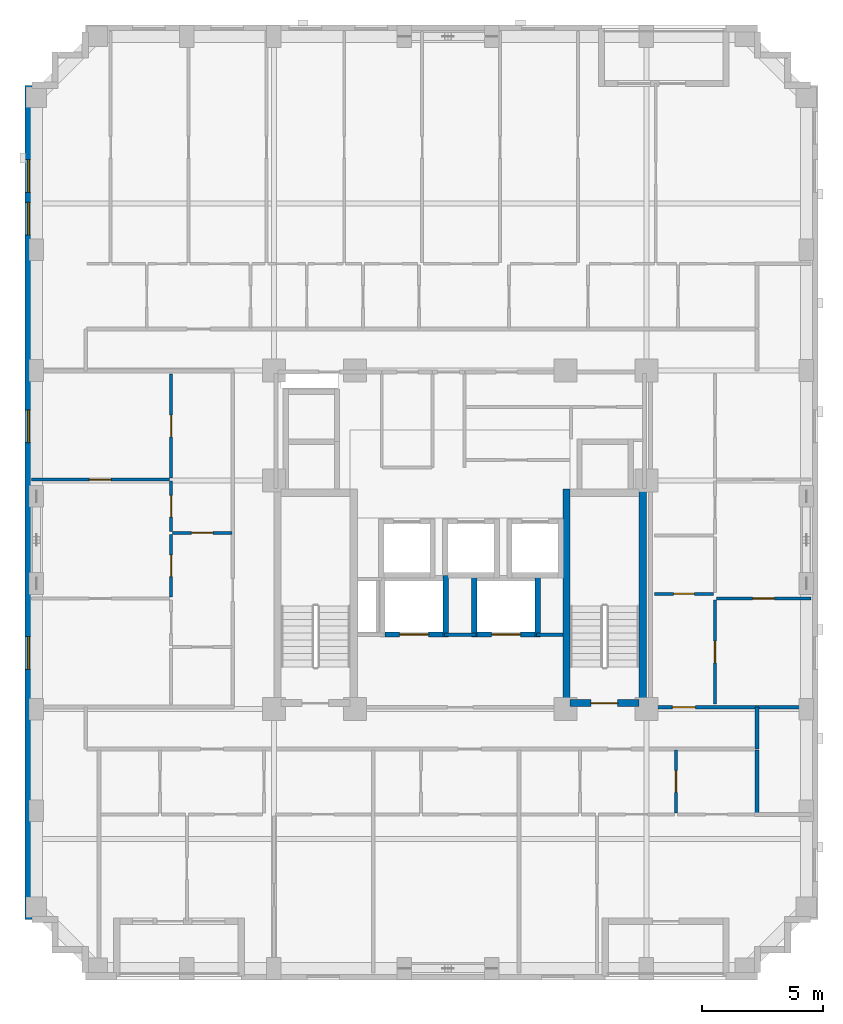
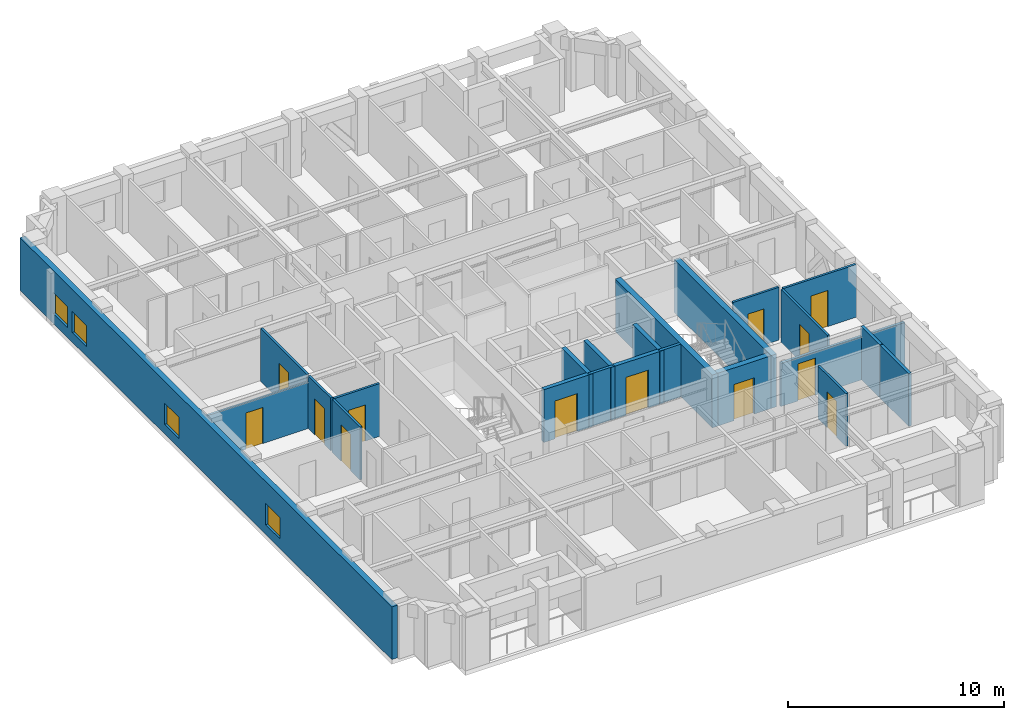
# One storey, part 4 of 11: 23 walls, 13 doors, 4 windows, 17 openings.
"""IFC4 building model written with IfcOpenShell, lengths in metres."""

import ifcopenshell
import ifcopenshell.guid

model = None  # the IFC model being written
_history = None  # IfcOwnerHistory: only IFC2X3 demands one
_inside = {}  # id of a spatial element -> (the spatial element, [elements in it])
_under = {}  # id of a project, library or spatial element -> (it, [spatial elements below it])
_declared = {}  # id of a project -> (the project, [libraries it declares])
_typed = {}  # id of a type object -> (the type object, [elements of that type])
_made_of = {}  # id of a material, layer set ... -> (it, [elements and type objects made of it])


def new_model(schema):
    """Start an empty IFC model of exactly this schema.

    Asked for "IFC4X3", IfcOpenShell would pick the latest addendum, in which some entities
    have other attributes; the version numbers below select the first issue.
    IFC2X3 requires an IfcOwnerHistory on every rooted entity: one is made here for all.
    """
    global model, _history
    if schema == "IFC4X3":
        model = ifcopenshell.file(schema_version=(4, 3, 0, 0))
    else:
        model = ifcopenshell.file(schema=schema)
    _inside.clear()
    _under.clear()
    _declared.clear()
    _typed.clear()
    _made_of.clear()
    _history = None
    if model.schema == "IFC2X3":
        org = make("IfcOrganization", Name="unknown")
        user = make(
            "IfcPersonAndOrganization",
            ThePerson=make("IfcPerson", FamilyName="unknown"),
            TheOrganization=org,
        )
        app = make(
            "IfcApplication",
            ApplicationDeveloper=org,
            Version="unknown",
            ApplicationFullName="unknown",
            ApplicationIdentifier="unknown",
        )
        _history = make(
            "IfcOwnerHistory",
            OwningUser=user,
            OwningApplication=app,
            ChangeAction="ADDED",
            CreationDate=0,
        )
    return model


def make(cls, **values):
    """One entity of the class cls with the attributes given. An attribute that is None is left unset."""
    return model.create_entity(
        cls, **{name: value for name, value in values.items() if value is not None}
    )


def rooted(cls, **values):
    """An entity with a GlobalId (a new one), such as an element, a storey or a relation."""
    return make(cls, GlobalId=ifcopenshell.guid.new(), OwnerHistory=_history, **values)


def si_unit(unit_type, name, prefix=None):
    """IfcSIUnit, for example si_unit("LENGTHUNIT", "METRE", prefix="MILLI")."""
    return make("IfcSIUnit", UnitType=unit_type, Prefix=prefix, Name=name)


def derived_unit(unit_type, elements):
    """IfcDerivedUnit: a product of units, each with its exponent."""
    return make(
        "IfcDerivedUnit",
        Elements=[
            make("IfcDerivedUnitElement", Unit=unit, Exponent=power)
            for unit, power in elements
        ],
        UnitType=unit_type,
    )


def assignment(units):
    """IfcUnitAssignment: the units of a project."""
    return None if units is None else make("IfcUnitAssignment", Units=units)


def point(xyz):
    """IfcCartesianPoint."""
    return None if xyz is None else make("IfcCartesianPoint", Coordinates=xyz)


def direction(xyz):
    """IfcDirection."""
    return None if xyz is None else make("IfcDirection", DirectionRatios=xyz)


def frame(location, z_axis=None, x_axis=None):
    """IfcAxis2Placement3D, a coordinate frame: its origin and axes. An axis left out is left unset."""
    return make(
        "IfcAxis2Placement3D",
        Location=point(location),
        Axis=direction(z_axis),
        RefDirection=direction(x_axis),
    )


def frame_2d(location, x_axis=None):
    """IfcAxis2Placement2D, a coordinate frame in the plane: its origin and x axis."""
    return make(
        "IfcAxis2Placement2D", Location=point(location), RefDirection=direction(x_axis)
    )


def origin():
    """The frame at (0, 0, 0) with its axes left unset."""
    return frame((0.0, 0.0, 0.0))


def place(relative_to, where):
    """IfcLocalPlacement: puts the frame where relative to a parent placement (None: the world)."""
    return make(
        "IfcLocalPlacement", PlacementRelTo=relative_to, RelativePlacement=where
    )


def context(
    kind, dimensions, precision=None, world=None, true_north=None, identifier=None
):
    """IfcGeometricRepresentationContext, for example the 3D "Model" context."""
    return make(
        "IfcGeometricRepresentationContext",
        ContextIdentifier=identifier,
        ContextType=kind,
        CoordinateSpaceDimension=dimensions,
        Precision=precision,
        WorldCoordinateSystem=world,
        TrueNorth=true_north,
    )


def subcontext(parent, identifier, kind, view, scale=None):
    """IfcGeometricRepresentationSubContext, for example "Body" below "Model"."""
    return make(
        "IfcGeometricRepresentationSubContext",
        ContextIdentifier=identifier,
        ContextType=kind,
        ParentContext=parent,
        TargetScale=scale,
        TargetView=view,
    )


def project(units=None, contexts=None):
    """IfcProject with its units and contexts."""
    return rooted(
        "IfcProject",
        Name="project",
        RepresentationContexts=contexts,
        UnitsInContext=assignment(units),
    )


def spatial(cls, under=None, at=None, **own):
    """A site, building, storey or space (cls), placed at a placement, below another one or the project."""
    s = rooted(cls, ObjectPlacement=at, **own)
    if under is not None:
        _under.setdefault(under.id(), (under, []))[1].append(s)
    return s


def profile(cls, at=None, kind="AREA", **sizes):
    """A parametric profile (cls). Its sizes go by their IFC names, for example OverallWidth=200.0."""
    return make(cls, ProfileType=kind, Position=at, **sizes)


def rectangle(**sizes):
    """IfcRectangleProfileDef."""
    return profile("IfcRectangleProfileDef", **sizes)


def extrude(swept, where, along, depth):
    """IfcExtrudedAreaSolid: the profile swept, set in the frame where, extruded along a direction by depth."""
    return make(
        "IfcExtrudedAreaSolid",
        SweptArea=swept,
        Position=where,
        ExtrudedDirection=direction(along),
        Depth=depth,
    )


def shape(context_of_items, identifier, shape_type, items):
    """IfcShapeRepresentation: the items that make up one representation, for example the "Body"."""
    return make(
        "IfcShapeRepresentation",
        ContextOfItems=context_of_items,
        RepresentationIdentifier=identifier,
        RepresentationType=shape_type,
        Items=items,
    )


def material(Name=None, Category=None):
    """IfcMaterial."""
    return make("IfcMaterial", Name=Name, Category=Category)


def layer(
    of_material, thickness, ventilated=None, Name=None, Category=None, Priority=None
):
    """IfcMaterialLayer: one layer of a wall or slab, of a material (None: an air gap)."""
    return make(
        "IfcMaterialLayer",
        Material=of_material,
        LayerThickness=thickness,
        IsVentilated=ventilated,
        Name=Name,
        Category=Category,
        Priority=Priority,
    )


def layer_set(layers, Name=None):
    """IfcMaterialLayerSet."""
    return make("IfcMaterialLayerSet", MaterialLayers=layers, LayerSetName=Name)


def made_of(thing, what):
    """Note that an element or type object is made of a material, layer set ...; save() writes the relation."""
    if what is not None:
        _made_of.setdefault(what.id(), (what, []))[1].append(thing)
    return thing


def type_object(cls, material=None, **own):
    """A type object (cls), such as IfcWallType, which elements share."""
    return made_of(rooted(cls, **own), material)


def element(
    cls,
    number,
    at=None,
    inside=None,
    cuts=None,
    type_object=None,
    material=None,
    context=None,
    identifier="Body",
    shape_type=None,
    held_by="IfcProductDefinitionShape",
    body=None,
    shapes=None,
    **own,
):
    """One element of the class cls, such as IfcWall. Its Tag is "e" and its number.

    at: its placement. inside: the storey or other place that contains it. cuts: it is an
    opening in that element (IfcRelVoidsElement). A single representation is given by context,
    identifier, shape_type and body (its items); several are given by shapes. held_by: the class
    of the entity that holds the representations. save() writes the other relations.
    """
    e = rooted(cls, Tag="e%d" % number, ObjectPlacement=at, **own)
    if body is not None:
        shapes = [shape(context, identifier, shape_type, body)]
    if shapes is not None:
        e.Representation = make(held_by, Representations=shapes)
    if inside is not None:
        _inside.setdefault(inside.id(), (inside, []))[1].append(e)
    if cuts is not None:
        rooted(
            "IfcRelVoidsElement", RelatingBuildingElement=cuts, RelatedOpeningElement=e
        )
    if type_object is not None:
        _typed.setdefault(type_object.id(), (type_object, []))[1].append(e)
    return made_of(e, material)


def fill(opening, filler):
    """IfcRelFillsElement: the door or window that sits in an opening."""
    return rooted(
        "IfcRelFillsElement",
        RelatingOpeningElement=opening,
        RelatedBuildingElement=filler,
    )


def aggregate(whole, parts):
    """IfcRelAggregates: a whole, such as a stair, and the parts it consists of."""
    return rooted("IfcRelAggregates", RelatingObject=whole, RelatedObjects=parts)


def save(model, path):
    """Write the relations noted so far, then the file.

    IfcRelAggregates (storeys below a building ...), IfcRelContainedInSpatialStructure (elements
    in a storey), IfcRelDefinesByType, IfcRelAssociatesMaterial and IfcRelDeclares: one each for
    every whole, place, type object, material and project.
    """
    for whole, parts in _under.values():
        aggregate(whole, parts)
    for where, things in _inside.values():
        rooted(
            "IfcRelContainedInSpatialStructure",
            RelatedElements=things,
            RelatingStructure=where,
        )
    for kind, things in _typed.values():
        rooted("IfcRelDefinesByType", RelatedObjects=things, RelatingType=kind)
    for what, things in _made_of.values():
        rooted("IfcRelAssociatesMaterial", RelatedObjects=things, RelatingMaterial=what)
    for by, libraries in _declared.values():
        rooted("IfcRelDeclares", RelatingContext=by, RelatedDefinitions=libraries)
    model.write(path)


model = new_model("IFC4")

# Units and contexts
model_context = context("Model", 3, precision=1e-05, world=origin(), true_north=direction((0.0, 1.0)))
body_context = subcontext(model_context, "Body", "Model", "MODEL_VIEW")
ifc_project = project(units=[si_unit("LENGTHUNIT", "METRE"), si_unit("AREAUNIT", "SQUARE_METRE"), si_unit("VOLUMEUNIT", "CUBIC_METRE"), si_unit("PLANEANGLEUNIT", "RADIAN"), si_unit("MASSUNIT", "GRAM", prefix="KILO"), derived_unit("THERMALTRANSMITTANCEUNIT", [(si_unit("MASSUNIT", "GRAM", prefix="KILO"), 1), (si_unit("TIMEUNIT", "SECOND"), -3), (si_unit("THERMODYNAMICTEMPERATUREUNIT", "KELVIN"), -1)])], contexts=[model_context])

# Site, building, storey
site_placement = place(None, origin())
site = spatial("IfcSite", under=ifc_project, at=site_placement, CompositionType="ELEMENT")
building_placement = place(site_placement, origin())
building = spatial("IfcBuilding", under=site, at=building_placement, Name="Korrvale Station Residences", CompositionType="ELEMENT")
storey_placement = place(building_placement, frame((0.0, 0.0, 160.14990234375)))
storey = spatial("IfcBuildingStorey", under=building, at=storey_placement, Name="L46", CompositionType="ELEMENT", Elevation=160.14990234375)

# Walls
ifc_material_1 = material(Name="Concrete C60/75", Category="concrete")
ifc_layer_1 = layer(ifc_material_1, 0.300048828125, Name="Concrete C60/75")
ifc_layer_set_1 = layer_set([ifc_layer_1], Name="Concrete C60/75")
wall_type_1 = type_object("IfcWallType", Name="WAL-CORE-300-C60", PredefinedType="SHEAR", material=ifc_layer_set_1)
for number, where, z_axis, x_axis, name in (
    (1, (29.89990234375, 15.10009765625, 0.0), (0.0, 0.0, 1.0), (0.0, 1.0, 0.0), "L46 ST-2 Core Shear Wall West"),
    (2, (33.050048828125, 15.10009765625, 0.0), (0.0, 0.0, 1.0), (0.0, 1.0, 0.0), "L46 ST-2 Core Shear Wall East"),
):
    element("IfcWall", number, at=place(storey_placement, frame(where, z_axis=z_axis, x_axis=x_axis)), inside=storey, type_object=wall_type_1, Name=name, PredefinedType="SHEAR", context=body_context, shape_type="SweptSolid", body=[
        extrude(rectangle(XDim=9.0, YDim=0.300048828125, at=frame_2d((4.5, 0.0))), origin(), (0.0, 0.0, 1.0), 2.989990234375),
    ])

# Wall, opening, door
wall_1_placement = place(storey_placement, frame((30.050048828125, 15.25, 0.0), z_axis=(0.0, 0.0, 1.0), x_axis=(1.0, 0.0, 0.0)))
wall_1 = element("IfcWall", 3, at=wall_1_placement, inside=storey, type_object=wall_type_1, Name="L46 ST-2 Core Shear Wall South", PredefinedType="SHEAR", context=body_context, shape_type="SweptSolid", body=[
    extrude(rectangle(XDim=2.849853515625, YDim=0.300048828125, at=frame_2d((1.4248046875, 0.0))), origin(), (0.0, 0.0, 1.0), 2.989990234375),
])
opening_1_placement = place(wall_1_placement, frame((0.860107421875, 0.0, 0.0)))
opening_1 = element("IfcOpeningElement", 4, at=opening_1_placement, cuts=wall_1, Name="Opening SD-1100", PredefinedType="OPENING", context=body_context, shape_type="SweptSolid", body=[
    extrude(rectangle(XDim=1.10009765625, YDim=2.050048828125, at=frame_2d((0.550048828125, 1.02490234375))), frame((0.0, 0.16015625, 0.0), z_axis=(0.0, -1.0, 0.0), x_axis=(1.0, 0.0, 0.0)), (0.0, 0.0, 1.0), 0.320068359375),
])
ifc_material_2 = material(Name="Hollow-metal fire-rated stair door with closer", Category="steel")
door_type_1 = type_object("IfcDoorType", Name="DR-STAIR-1100", OperationType="NOTDEFINED", PredefinedType="DOOR", material=ifc_material_2)
door_1_placement = place(opening_1_placement, origin())
door_1 = element("IfcDoor", 5, at=door_1_placement, inside=storey, type_object=door_type_1, Name="L46 ST-2 Exit Stair Door", OperationType="SINGLE_SWING_RIGHT", OverallHeight=2.050048828125, OverallWidth=1.10009765625, PredefinedType="DOOR", context=body_context, shape_type="SweptSolid", body=[
    extrude(rectangle(XDim=1.10009765625, YDim=2.050048828125, at=frame_2d((0.550048828125, 1.02490234375))), frame((0.0, 0.02490234375, 0.0), z_axis=(0.0, -1.0, 0.0), x_axis=(1.0, 0.0, 0.0)), (0.0, 0.0, 1.0), 0.050048828125),
])
fill(opening_1, door_1)

# Wall, openings, windows
ifc_material_3 = material(Name="Precast concrete C45/55", Category="concrete")
ifc_layer_2 = layer(ifc_material_3, 0.300048828125, Name="Precast concrete C45/55")
ifc_layer_set_2 = layer_set([ifc_layer_2], Name="Precast concrete C45/55")
wall_type_2 = type_object("IfcWallType", Name="WAL-EXT-PC300", PredefinedType="SOLIDWALL", material=ifc_layer_set_2)
wall_2_placement = place(storey_placement, frame((7.64990234375, 6.300048828125, 0.0), z_axis=(0.0, 0.0, 1.0), x_axis=(0.0, 1.0, 0.0)))
wall_2 = element("IfcWall", 6, at=wall_2_placement, inside=storey, type_object=wall_type_2, Name="L46 West Exterior Precast Wall 1", PredefinedType="SOLIDWALL", context=body_context, shape_type="SweptSolid", body=[
    extrude(rectangle(XDim=34.5, YDim=0.300048828125, at=frame_2d((17.25, 0.0))), origin(), (0.0, 0.0, 1.0), 2.989990234375),
])
opening_2_placement = place(wall_2_placement, frame((30.074951171875, 0.0, 0.550048828125)))
opening_2 = element("IfcOpeningElement", 7, at=opening_2_placement, cuts=wall_2, Name="Opening W-10", PredefinedType="OPENING", context=body_context, shape_type="SweptSolid", body=[
    extrude(rectangle(XDim=1.35009765625, YDim=1.199951171875, at=frame_2d((0.675048828125, 0.60009765625))), frame((0.0, 0.16015625, 0.0), z_axis=(0.0, -1.0, 0.0), x_axis=(1.0, 0.0, 0.0)), (0.0, 0.0, 1.0), 0.320068359375),
])
opening_3_placement = place(wall_2_placement, frame((28.31005859375, 0.0, 0.550048828125)))
opening_3 = element("IfcOpeningElement", 8, at=opening_3_placement, cuts=wall_2, Name="Opening W-10", PredefinedType="OPENING", context=body_context, shape_type="SweptSolid", body=[
    extrude(rectangle(XDim=1.35009765625, YDim=1.199951171875, at=frame_2d((0.675048828125, 0.60009765625))), frame((0.0, 0.16015625, 0.0), z_axis=(0.0, -1.0, 0.0), x_axis=(1.0, 0.0, 0.0)), (0.0, 0.0, 1.0), 0.320068359375),
])
opening_4_placement = place(wall_2_placement, frame((10.35009765625, 0.0, 0.550048828125)))
opening_4 = element("IfcOpeningElement", 9, at=opening_4_placement, cuts=wall_2, Name="Opening W-10", PredefinedType="OPENING", context=body_context, shape_type="SweptSolid", body=[
    extrude(rectangle(XDim=1.35009765625, YDim=1.199951171875, at=frame_2d((0.675048828125, 0.60009765625))), frame((0.0, 0.16015625, 0.0), z_axis=(0.0, -1.0, 0.0), x_axis=(1.0, 0.0, 0.0)), (0.0, 0.0, 1.0), 0.320068359375),
])
opening_5_placement = place(wall_2_placement, frame((19.72509765625, 0.0, 0.550048828125)))
opening_5 = element("IfcOpeningElement", 10, at=opening_5_placement, cuts=wall_2, Name="Opening W-10", PredefinedType="OPENING", context=body_context, shape_type="SweptSolid", body=[
    extrude(rectangle(XDim=1.35009765625, YDim=1.199951171875, at=frame_2d((0.675048828125, 0.60009765625))), frame((0.0, 0.16015625, 0.0), z_axis=(0.0, -1.0, 0.0), x_axis=(1.0, 0.0, 0.0)), (0.0, 0.0, 1.0), 0.320068359375),
])
ifc_material_4 = material(Name="Thermally broken aluminium frame with triple low-e glazing", Category="aluminium")
window_type = type_object("IfcWindowType", Name="WIN-W10", PartitioningType="SINGLE_PANEL", PredefinedType="WINDOW", material=ifc_material_4)
window_1_placement = place(opening_2_placement, origin())
window_1 = element("IfcWindow", 11, at=window_1_placement, inside=storey, type_object=window_type, Name="L46 Punched Window 06", OverallHeight=1.199951171875, OverallWidth=1.35009765625, PartitioningType="SINGLE_PANEL", PredefinedType="WINDOW", context=body_context, shape_type="SweptSolid", body=[
    extrude(rectangle(XDim=1.35009765625, YDim=1.199951171875, at=frame_2d((0.675048828125, 0.60009765625))), frame((0.0, 0.030029296875, 0.0), z_axis=(0.0, -1.0, 0.0), x_axis=(1.0, 0.0, 0.0)), (0.0, 0.0, 1.0), 0.06005859375),
])
fill(opening_2, window_1)
window_2_placement = place(opening_3_placement, origin())
window_2 = element("IfcWindow", 12, at=window_2_placement, inside=storey, type_object=window_type, Name="L46 Punched Window 07", OverallHeight=1.199951171875, OverallWidth=1.35009765625, PartitioningType="SINGLE_PANEL", PredefinedType="WINDOW", context=body_context, shape_type="SweptSolid", body=[
    extrude(rectangle(XDim=1.35009765625, YDim=1.199951171875, at=frame_2d((0.675048828125, 0.60009765625))), frame((0.0, 0.030029296875, 0.0), z_axis=(0.0, -1.0, 0.0), x_axis=(1.0, 0.0, 0.0)), (0.0, 0.0, 1.0), 0.06005859375),
])
fill(opening_3, window_2)
window_3_placement = place(opening_4_placement, origin())
window_3 = element("IfcWindow", 13, at=window_3_placement, inside=storey, type_object=window_type, Name="L46 Punched Window 16", OverallHeight=1.199951171875, OverallWidth=1.35009765625, PartitioningType="SINGLE_PANEL", PredefinedType="WINDOW", context=body_context, shape_type="SweptSolid", body=[
    extrude(rectangle(XDim=1.35009765625, YDim=1.199951171875, at=frame_2d((0.675048828125, 0.60009765625))), frame((0.0, 0.030029296875, 0.0), z_axis=(0.0, -1.0, 0.0), x_axis=(1.0, 0.0, 0.0)), (0.0, 0.0, 1.0), 0.06005859375),
])
fill(opening_4, window_3)
window_4_placement = place(opening_5_placement, origin())
window_4 = element("IfcWindow", 14, at=window_4_placement, inside=storey, type_object=window_type, Name="L46 Punched Window 17", OverallHeight=1.199951171875, OverallWidth=1.35009765625, PartitioningType="SINGLE_PANEL", PredefinedType="WINDOW", context=body_context, shape_type="SweptSolid", body=[
    extrude(rectangle(XDim=1.35009765625, YDim=1.199951171875, at=frame_2d((0.675048828125, 0.60009765625))), frame((0.0, 0.030029296875, 0.0), z_axis=(0.0, -1.0, 0.0), x_axis=(1.0, 0.0, 0.0)), (0.0, 0.0, 1.0), 0.06005859375),
])
fill(opening_5, window_4)

# Wall, opening, door
ifc_material_5 = material(Name="Acoustic steel-stud gypsum board partition", Category="steel")
ifc_layer_3 = layer(ifc_material_5, 0.1201171875, Name="Acoustic steel-stud gypsum board partition")
ifc_layer_set_3 = layer_set([ifc_layer_3], Name="Acoustic steel-stud gypsum board partition")
wall_type_3 = type_object("IfcWallType", Name="WAL-PART-125", PredefinedType="PARTITIONING", material=ifc_layer_set_3)
wall_3_placement = place(storey_placement, frame((34.429931640625, 10.7099609375, 0.0), z_axis=(0.0, 0.0, 1.0), x_axis=(0.0, 1.0, 0.0)))
wall_3 = element("IfcWall", 15, at=wall_3_placement, inside=storey, type_object=wall_type_3, Name="L46 Suite Partition U03-V12", PredefinedType="PARTITIONING", context=body_context, shape_type="SweptSolid", body=[
    extrude(rectangle(XDim=2.60009765625, YDim=0.1201171875, at=frame_2d((1.300048828125, 0.0))), origin(), (0.0, 0.0, 1.0), 2.989990234375),
])
opening_6_placement = place(wall_3_placement, frame((0.85009765625, 0.0, 0.0)))
opening_6 = element("IfcOpeningElement", 16, at=opening_6_placement, cuts=wall_3, Name="Opening DI-900", PredefinedType="OPENING", context=body_context, shape_type="SweptSolid", body=[
    extrude(rectangle(XDim=0.89990234375, YDim=2.050048828125, at=frame_2d((0.449951171875, 1.02490234375))), frame((0.0, 0.070068359375, 0.0), z_axis=(0.0, -1.0, 0.0), x_axis=(1.0, 0.0, 0.0)), (0.0, 0.0, 1.0), 0.14013671875),
])
ifc_material_6 = material(Name="Painted solid-core timber interior room door", Category="wood")
door_type_2 = type_object("IfcDoorType", Name="DR-INT-900", OperationType="NOTDEFINED", PredefinedType="DOOR", material=ifc_material_6)
door_2_placement = place(opening_6_placement, origin())
door_2 = element("IfcDoor", 17, at=door_2_placement, inside=storey, type_object=door_type_2, Name="L46 Studio Apartment L46-U03 Kitchen Door", OperationType="SINGLE_SWING_RIGHT", OverallHeight=2.050048828125, OverallWidth=0.89990234375, PredefinedType="DOOR", context=body_context, shape_type="SweptSolid", body=[
    extrude(rectangle(XDim=0.89990234375, YDim=2.050048828125, at=frame_2d((0.449951171875, 1.02490234375))), frame((0.0, 0.02490234375, 0.0), z_axis=(0.0, -1.0, 0.0), x_axis=(1.0, 0.0, 0.0)), (0.0, 0.0, 1.0), 0.050048828125),
])
fill(opening_6, door_2)

wall_4_placement = place(storey_placement, frame((13.610107421875, 22.2900390625, 0.0), z_axis=(0.0, 0.0, 1.0), x_axis=(1.0, 0.0, 0.0)))
wall_4 = element("IfcWall", 18, at=wall_4_placement, inside=storey, type_object=wall_type_3, Name="L46 Suite Partition U05-H02", PredefinedType="PARTITIONING", context=body_context, shape_type="SweptSolid", body=[
    extrude(rectangle(XDim=2.449951171875, YDim=0.1201171875, at=frame_2d((1.22509765625, 0.0))), origin(), (0.0, 0.0, 1.0), 2.989990234375),
])
opening_7_placement = place(wall_4_placement, frame((0.77490234375, 0.0, 0.0)))
opening_7 = element("IfcOpeningElement", 19, at=opening_7_placement, cuts=wall_4, Name="Opening DI-900", PredefinedType="OPENING", context=body_context, shape_type="SweptSolid", body=[
    extrude(rectangle(XDim=0.89990234375, YDim=2.050048828125, at=frame_2d((0.449951171875, 1.02490234375))), frame((0.0, 0.070068359375, 0.0), z_axis=(0.0, -1.0, 0.0), x_axis=(1.0, 0.0, 0.0)), (0.0, 0.0, 1.0), 0.14013671875),
])
door_3_placement = place(opening_7_placement, origin())
door_3 = element("IfcDoor", 20, at=door_3_placement, inside=storey, type_object=door_type_2, Name="L46 Apartment 2BR L46-U05 Wardrobe Storage Room Door", OperationType="SINGLE_SWING_LEFT", OverallHeight=2.050048828125, OverallWidth=0.89990234375, PredefinedType="DOOR", context=body_context, shape_type="SweptSolid", body=[
    extrude(rectangle(XDim=0.89990234375, YDim=2.050048828125, at=frame_2d((0.449951171875, 1.02490234375))), frame((0.0, 0.02490234375, 0.0), z_axis=(0.0, -1.0, 0.0), x_axis=(1.0, 0.0, 0.0)), (0.0, 0.0, 1.0), 0.050048828125),
])
fill(opening_7, door_3)

wall_5_placement = place(storey_placement, frame((13.550048828125, 22.35009765625, 0.0), z_axis=(0.0, 0.0, 1.0), x_axis=(0.0, 1.0, 0.0)))
wall_5 = element("IfcWall", 21, at=wall_5_placement, inside=storey, type_object=wall_type_3, Name="L46 Suite Partition U05-V04", PredefinedType="PARTITIONING", context=body_context, shape_type="SweptSolid", body=[
    extrude(rectangle(XDim=2.081787109375, YDim=0.1201171875, at=frame_2d((1.041015625, 0.0))), origin(), (0.0, 0.0, 1.0), 2.989990234375),
])
opening_8_placement = place(wall_5_placement, frame((0.591064453125, 0.0, 0.0)))
opening_8 = element("IfcOpeningElement", 22, at=opening_8_placement, cuts=wall_5, Name="Opening DI-900", PredefinedType="OPENING", context=body_context, shape_type="SweptSolid", body=[
    extrude(rectangle(XDim=0.89990234375, YDim=2.050048828125, at=frame_2d((0.449951171875, 1.02490234375))), frame((0.0, 0.070068359375, 0.0), z_axis=(0.0, -1.0, 0.0), x_axis=(1.0, 0.0, 0.0)), (0.0, 0.0, 1.0), 0.14013671875),
])
door_4_placement = place(opening_8_placement, origin())
door_4 = element("IfcDoor", 23, at=door_4_placement, inside=storey, type_object=door_type_2, Name="L46 Apartment 2BR L46-U05 Wardrobe Storage Room Door", OperationType="SINGLE_SWING_RIGHT", OverallHeight=2.050048828125, OverallWidth=0.89990234375, PredefinedType="DOOR", context=body_context, shape_type="SweptSolid", body=[
    extrude(rectangle(XDim=0.89990234375, YDim=2.050048828125, at=frame_2d((0.449951171875, 1.02490234375))), frame((0.0, 0.02490234375, 0.0), z_axis=(0.0, -1.0, 0.0), x_axis=(1.0, 0.0, 0.0)), (0.0, 0.0, 1.0), 0.050048828125),
])
fill(opening_8, door_4)

wall_6_placement = place(storey_placement, frame((13.550048828125, 24.552001953125, 0.0), z_axis=(0.0, 0.0, 1.0), x_axis=(0.0, 1.0, 0.0)))
wall_6 = element("IfcWall", 24, at=wall_6_placement, inside=storey, type_object=wall_type_3, Name="L46 Suite Partition U05-V05", PredefinedType="PARTITIONING", context=body_context, shape_type="SweptSolid", body=[
    extrude(rectangle(XDim=4.30810546875, YDim=0.1201171875, at=frame_2d((2.154052734375, 0.0))), origin(), (0.0, 0.0, 1.0), 2.989990234375),
])
opening_9_placement = place(wall_6_placement, frame((1.7041015625, 0.0, 0.0)))
opening_9 = element("IfcOpeningElement", 25, at=opening_9_placement, cuts=wall_6, Name="Opening DI-900", PredefinedType="OPENING", context=body_context, shape_type="SweptSolid", body=[
    extrude(rectangle(XDim=0.89990234375, YDim=2.050048828125, at=frame_2d((0.449951171875, 1.02490234375))), frame((0.0, 0.070068359375, 0.0), z_axis=(0.0, -1.0, 0.0), x_axis=(1.0, 0.0, 0.0)), (0.0, 0.0, 1.0), 0.14013671875),
])
door_5_placement = place(opening_9_placement, origin())
door_5 = element("IfcDoor", 26, at=door_5_placement, inside=storey, type_object=door_type_2, Name="L46 Apartment 2BR L46-U05 Wardrobe Storage Room Door", OperationType="SINGLE_SWING_LEFT", OverallHeight=2.050048828125, OverallWidth=0.89990234375, PredefinedType="DOOR", context=body_context, shape_type="SweptSolid", body=[
    extrude(rectangle(XDim=0.89990234375, YDim=2.050048828125, at=frame_2d((0.449951171875, 1.02490234375))), frame((0.0, 0.02490234375, 0.0), z_axis=(0.0, -1.0, 0.0), x_axis=(1.0, 0.0, 0.0)), (0.0, 0.0, 1.0), 0.050048828125),
])
fill(opening_9, door_5)

wall_7_placement = place(storey_placement, frame((13.550048828125, 19.637939453125, 0.0), z_axis=(0.0, 0.0, 1.0), x_axis=(0.0, 1.0, 0.0)))
wall_7 = element("IfcWall", 27, at=wall_7_placement, inside=storey, type_object=wall_type_3, Name="L46 Suite Partition U05-V24", PredefinedType="PARTITIONING", context=body_context, shape_type="SweptSolid", body=[
    extrude(rectangle(XDim=2.592041015625, YDim=0.1201171875, at=frame_2d((1.2958984375, 0.0))), origin(), (0.0, 0.0, 1.0), 2.989990234375),
])
opening_10_placement = place(wall_7_placement, frame((0.845947265625, 0.0, 0.0)))
opening_10 = element("IfcOpeningElement", 28, at=opening_10_placement, cuts=wall_7, Name="Opening DI-900", PredefinedType="OPENING", context=body_context, shape_type="SweptSolid", body=[
    extrude(rectangle(XDim=0.89990234375, YDim=2.050048828125, at=frame_2d((0.449951171875, 1.02490234375))), frame((0.0, 0.070068359375, 0.0), z_axis=(0.0, -1.0, 0.0), x_axis=(1.0, 0.0, 0.0)), (0.0, 0.0, 1.0), 0.14013671875),
])
door_6_placement = place(opening_10_placement, origin())
door_6 = element("IfcDoor", 29, at=door_6_placement, inside=storey, type_object=door_type_2, Name="L46 Apartment 2BR L46-U05 Kitchen Door", OperationType="SINGLE_SWING_RIGHT", OverallHeight=2.050048828125, OverallWidth=0.89990234375, PredefinedType="DOOR", context=body_context, shape_type="SweptSolid", body=[
    extrude(rectangle(XDim=0.89990234375, YDim=2.050048828125, at=frame_2d((0.449951171875, 1.02490234375))), frame((0.0, 0.02490234375, 0.0), z_axis=(0.0, -1.0, 0.0), x_axis=(1.0, 0.0, 0.0)), (0.0, 0.0, 1.0), 0.050048828125),
])
fill(opening_10, door_6)

wall_8_placement = place(storey_placement, frame((7.780029296875, 24.491943359375, 0.0), z_axis=(0.0, 0.0, 1.0), x_axis=(1.0, 0.0, 0.0)))
wall_8 = element("IfcWall", 30, at=wall_8_placement, inside=storey, type_object=wall_type_3, Name="L46 Suite Partition U05-H45", PredefinedType="PARTITIONING", context=body_context, shape_type="SweptSolid", body=[
    extrude(rectangle(XDim=5.7099609375, YDim=0.1201171875, at=frame_2d((2.85498046875, 0.0))), origin(), (0.0, 0.0, 1.0), 2.62109375),
])
opening_11_placement = place(wall_8_placement, frame((2.389892578125, 0.0, 0.0)))
opening_11 = element("IfcOpeningElement", 31, at=opening_11_placement, cuts=wall_8, Name="Opening DI-900", PredefinedType="OPENING", context=body_context, shape_type="SweptSolid", body=[
    extrude(rectangle(XDim=0.89990234375, YDim=2.050048828125, at=frame_2d((0.449951171875, 1.02490234375))), frame((0.0, 0.070068359375, 0.0), z_axis=(0.0, -1.0, 0.0), x_axis=(1.0, 0.0, 0.0)), (0.0, 0.0, 1.0), 0.14013671875),
])
door_7_placement = place(opening_11_placement, origin())
door_7 = element("IfcDoor", 32, at=door_7_placement, inside=storey, type_object=door_type_2, Name="L46 Apartment 2BR L46-U05 Living and Dining Room Door", OperationType="SINGLE_SWING_RIGHT", OverallHeight=2.050048828125, OverallWidth=0.89990234375, PredefinedType="DOOR", context=body_context, shape_type="SweptSolid", body=[
    extrude(rectangle(XDim=0.89990234375, YDim=2.050048828125, at=frame_2d((0.449951171875, 1.02490234375))), frame((0.0, 0.02490234375, 0.0), z_axis=(0.0, -1.0, 0.0), x_axis=(1.0, 0.0, 0.0)), (0.0, 0.0, 1.0), 0.050048828125),
])
fill(opening_11, door_7)

wall_9_placement = place(storey_placement, frame((33.530029296875, 19.77001953125, 0.0), z_axis=(0.0, 0.0, 1.0), x_axis=(1.0, 0.0, 0.0)))
wall_9 = element("IfcWall", 33, at=wall_9_placement, inside=storey, type_object=wall_type_3, Name="L46 Suite Partition U06-H12", PredefinedType="PARTITIONING", context=body_context, shape_type="SweptSolid", body=[
    extrude(rectangle(XDim=2.449951171875, YDim=0.1201171875, at=frame_2d((1.22509765625, 0.0))), origin(), (0.0, 0.0, 1.0), 2.989990234375),
])
opening_12_placement = place(wall_9_placement, frame((0.794921875, 0.0, 0.0)))
opening_12 = element("IfcOpeningElement", 34, at=opening_12_placement, cuts=wall_9, Name="Opening DB-860", PredefinedType="OPENING", context=body_context, shape_type="SweptSolid", body=[
    extrude(rectangle(XDim=0.860107421875, YDim=2.050048828125, at=frame_2d((0.43017578125, 1.02490234375))), frame((0.0, 0.070068359375, 0.0), z_axis=(0.0, -1.0, 0.0), x_axis=(1.0, 0.0, 0.0)), (0.0, 0.0, 1.0), 0.14013671875),
])
ifc_material_7 = material(Name="Moisture-resistant solid-core bathroom door", Category="timber")
door_type_3 = type_object("IfcDoorType", Name="DR-BATH-860", OperationType="NOTDEFINED", PredefinedType="DOOR", material=ifc_material_7)
door_8_placement = place(opening_12_placement, origin())
door_8 = element("IfcDoor", 35, at=door_8_placement, inside=storey, type_object=door_type_3, Name="L46 Apartment 2BR L46-U06 Bathroom Door", OperationType="SINGLE_SWING_RIGHT", OverallHeight=2.050048828125, OverallWidth=0.860107421875, PredefinedType="DOOR", context=body_context, shape_type="SweptSolid", body=[
    extrude(rectangle(XDim=0.860107421875, YDim=2.050048828125, at=frame_2d((0.43017578125, 1.02490234375))), frame((0.0, 0.02490234375, 0.0), z_axis=(0.0, -1.0, 0.0), x_axis=(1.0, 0.0, 0.0)), (0.0, 0.0, 1.0), 0.050048828125),
])
fill(opening_12, door_8)

wall_10_placement = place(storey_placement, frame((36.0400390625, 15.2099609375, 0.0), z_axis=(0.0, 0.0, 1.0), x_axis=(0.0, 1.0, 0.0)))
wall_10 = element("IfcWall", 36, at=wall_10_placement, inside=storey, type_object=wall_type_3, Name="L46 Suite Partition U06-V23", PredefinedType="PARTITIONING", context=body_context, shape_type="SweptSolid", body=[
    extrude(rectangle(XDim=4.30810546875, YDim=0.1201171875, at=frame_2d((2.154052734375, 0.0))), origin(), (0.0, 0.0, 1.0), 2.989990234375),
])
opening_13_placement = place(wall_10_placement, frame((1.7041015625, 0.0, 0.0)))
opening_13 = element("IfcOpeningElement", 37, at=opening_13_placement, cuts=wall_10, Name="Opening DI-900", PredefinedType="OPENING", context=body_context, shape_type="SweptSolid", body=[
    extrude(rectangle(XDim=0.89990234375, YDim=2.050048828125, at=frame_2d((0.449951171875, 1.02490234375))), frame((0.0, 0.070068359375, 0.0), z_axis=(0.0, -1.0, 0.0), x_axis=(1.0, 0.0, 0.0)), (0.0, 0.0, 1.0), 0.14013671875),
])
door_9_placement = place(opening_13_placement, origin())
door_9 = element("IfcDoor", 38, at=door_9_placement, inside=storey, type_object=door_type_2, Name="L46 Apartment 2BR L46-U06 Kitchen Door", OperationType="SINGLE_SWING_LEFT", OverallHeight=2.050048828125, OverallWidth=0.89990234375, PredefinedType="DOOR", context=body_context, shape_type="SweptSolid", body=[
    extrude(rectangle(XDim=0.89990234375, YDim=2.050048828125, at=frame_2d((0.449951171875, 1.02490234375))), frame((0.0, 0.02490234375, 0.0), z_axis=(0.0, -1.0, 0.0), x_axis=(1.0, 0.0, 0.0)), (0.0, 0.0, 1.0), 0.050048828125),
])
fill(opening_13, door_9)

wall_11_placement = place(storey_placement, frame((36.10009765625, 19.577880859375, 0.0), z_axis=(0.0, 0.0, 1.0), x_axis=(1.0, 0.0, 0.0)))
wall_11 = element("IfcWall", 39, at=wall_11_placement, inside=storey, type_object=wall_type_3, Name="L46 Suite Partition U06-H34", PredefinedType="PARTITIONING", context=body_context, shape_type="SweptSolid", body=[
    extrude(rectangle(XDim=3.919921875, YDim=0.1201171875, at=frame_2d((1.9599609375, 0.0))), origin(), (0.0, 0.0, 1.0), 2.989990234375),
])
opening_14_placement = place(wall_11_placement, frame((1.4951171875, 0.0, 0.0)))
opening_14 = element("IfcOpeningElement", 40, at=opening_14_placement, cuts=wall_11, Name="Opening DI-900", PredefinedType="OPENING", context=body_context, shape_type="SweptSolid", body=[
    extrude(rectangle(XDim=0.89990234375, YDim=2.050048828125, at=frame_2d((0.449951171875, 1.02490234375))), frame((0.0, 0.070068359375, 0.0), z_axis=(0.0, -1.0, 0.0), x_axis=(1.0, 0.0, 0.0)), (0.0, 0.0, 1.0), 0.14013671875),
])
door_10_placement = place(opening_14_placement, origin())
door_10 = element("IfcDoor", 41, at=door_10_placement, inside=storey, type_object=door_type_2, Name="L46 Apartment 2BR L46-U06 Bedroom 1 Door", OperationType="SINGLE_SWING_RIGHT", OverallHeight=2.050048828125, OverallWidth=0.89990234375, PredefinedType="DOOR", context=body_context, shape_type="SweptSolid", body=[
    extrude(rectangle(XDim=0.89990234375, YDim=2.050048828125, at=frame_2d((0.449951171875, 1.02490234375))), frame((0.0, 0.02490234375, 0.0), z_axis=(0.0, -1.0, 0.0), x_axis=(1.0, 0.0, 0.0)), (0.0, 0.0, 1.0), 0.050048828125),
])
fill(opening_14, door_10)

# Walls
ifc_material_8 = material(Name="Fire-rated twin-stud gypsum and mineral wool shaftwall assembly", Category="gypsum")
ifc_layer_4 = layer(ifc_material_8, 0.159912109375, Name="Fire-rated twin-stud gypsum and mineral wool shaftwall assembly")
ifc_layer_set_4 = layer_set([ifc_layer_4], Name="Fire-rated twin-stud gypsum and mineral wool shaftwall assembly")
wall_type_4 = type_object("IfcWallType", Name="WAL-PART-200", PredefinedType="PARTITIONING", material=ifc_layer_set_4)
wall_12_placement = place(storey_placement, frame((24.85009765625, 18.080078125, 0.0), z_axis=(0.0, 0.0, 1.0), x_axis=(1.0, 0.0, 0.0)))
element("IfcWall", 42, at=wall_12_placement, inside=storey, type_object=wall_type_4, Name="L46 Core Partition CW-FFL-N2", PredefinedType="PARTITIONING", context=body_context, shape_type="SweptSolid", body=[
    extrude(rectangle(XDim=1.2998046875, YDim=0.159912109375, at=frame_2d((0.64990234375, 0.0))), origin(), (0.0, 0.0, 1.0), 2.989990234375),
])
wall_13_placement = place(storey_placement, frame((28.64990234375, 18.080078125, 0.0), z_axis=(0.0, 0.0, 1.0), x_axis=(1.0, 0.0, 0.0)))
element("IfcWall", 43, at=wall_13_placement, inside=storey, type_object=wall_type_4, Name="L46 Core Partition CW-FFL-N3", PredefinedType="PARTITIONING", context=body_context, shape_type="SweptSolid", body=[
    extrude(rectangle(XDim=1.10009765625, YDim=0.159912109375, at=frame_2d((0.550048828125, 0.0))), origin(), (0.0, 0.0, 1.0), 2.989990234375),
])
wall_14_placement = place(storey_placement, frame((37.780029296875, 13.35009765625, 0.0), z_axis=(0.0, 0.0, 1.0), x_axis=(0.0, 1.0, 0.0)))
element("IfcWall", 44, at=wall_14_placement, inside=storey, type_object=wall_type_4, Name="L46 Corridor South East Cap", PredefinedType="PARTITIONING", context=body_context, shape_type="SweptSolid", body=[
    extrude(rectangle(XDim=1.739990234375, YDim=0.159912109375, at=frame_2d((0.8701171875, 0.0))), origin(), (0.0, 0.0, 1.0), 2.989990234375),
])
wall_15_placement = place(storey_placement, frame((37.780029296875, 10.64990234375, 0.0), z_axis=(0.0, 0.0, 1.0), x_axis=(0.0, 1.0, 0.0)))
element("IfcWall", 45, at=wall_15_placement, inside=storey, type_object=wall_type_4, Name="L46 Corner Step Cheek U03-R", PredefinedType="PARTITIONING", context=body_context, shape_type="SweptSolid", body=[
    extrude(rectangle(XDim=2.66015625, YDim=0.159912109375, at=frame_2d((1.330078125, 0.0))), origin(), (0.0, 0.0, 1.0), 2.989990234375),
])

# Wall, opening, door
wall_16_placement = place(storey_placement, frame((33.3798828125, 15.080078125, 0.0), z_axis=(0.0, 0.0, 1.0), x_axis=(1.0, 0.0, 0.0)))
wall_16 = element("IfcWall", 46, at=wall_16_placement, inside=storey, type_object=wall_type_4, Name="L46 Side Suite South Entry Wall U06", PredefinedType="PARTITIONING", context=body_context, shape_type="SweptSolid", body=[
    extrude(rectangle(XDim=6.64013671875, YDim=0.159912109375, at=frame_2d((3.320068359375, 0.0))), origin(), (0.0, 0.0, 1.0), 2.442138671875),
])
opening_15_placement = place(wall_16_placement, frame((0.89990234375, 0.0, 0.0)))
opening_15 = element("IfcOpeningElement", 47, at=opening_15_placement, cuts=wall_16, Name="Opening UD-950", PredefinedType="OPENING", context=body_context, shape_type="SweptSolid", body=[
    extrude(rectangle(XDim=0.949951171875, YDim=2.10009765625, at=frame_2d((0.47509765625, 1.050048828125))), frame((0.0, 0.08984375, 0.0), z_axis=(0.0, -1.0, 0.0), x_axis=(1.0, 0.0, 0.0)), (0.0, 0.0, 1.0), 0.179931640625),
])
ifc_material_9 = material(Name="Solid-core acoustic oak apartment entrance door", Category="timber")
door_type_4 = type_object("IfcDoorType", Name="DR-UNIT-950", OperationType="NOTDEFINED", PredefinedType="DOOR", material=ifc_material_9)
door_11_placement = place(opening_15_placement, origin())
door_11 = element("IfcDoor", 48, at=door_11_placement, inside=storey, type_object=door_type_4, Name="L46 Apartment L46-U06 Entrance Door", OperationType="SINGLE_SWING_LEFT", OverallHeight=2.10009765625, OverallWidth=0.949951171875, PredefinedType="DOOR", context=body_context, shape_type="SweptSolid", body=[
    extrude(rectangle(XDim=0.949951171875, YDim=2.10009765625, at=frame_2d((0.47509765625, 1.050048828125))), frame((0.0, 0.02490234375, 0.0), z_axis=(0.0, -1.0, 0.0), x_axis=(1.0, 0.0, 0.0)), (0.0, 0.0, 1.0), 0.050048828125),
])
fill(opening_15, door_11)

ifc_layer_5 = layer(ifc_material_1, 0.219970703125, Name="Concrete C60/75")
ifc_layer_set_5 = layer_set([ifc_layer_5], Name="Concrete C60/75")
wall_type_5 = type_object("IfcWallType", Name="WAL-SHAFT-220-C60", PredefinedType="SHEAR", material=ifc_layer_set_5)
wall_17_placement = place(storey_placement, frame((22.39990234375, 18.090087890625, 0.0), z_axis=(0.0, 0.0, 1.0), x_axis=(1.0, 0.0, 0.0)))
wall_17 = element("IfcWall", 49, at=wall_17_placement, inside=storey, type_object=wall_type_5, Name="L46 Elevator FFL-1 Hoistway Wall South", PredefinedType="SHEAR", context=body_context, shape_type="SweptSolid", body=[
    extrude(rectangle(XDim=2.400146484375, YDim=0.219970703125, at=frame_2d((1.2001953125, 0.0))), origin(), (0.0, 0.0, 1.0), 2.989990234375),
])
opening_16_placement = place(wall_17_placement, frame((0.60009765625, 0.0, 0.0)))
opening_16 = element("IfcOpeningElement", 50, at=opening_16_placement, cuts=wall_17, Name="Opening LD-FF1200", PredefinedType="OPENING", context=body_context, shape_type="SweptSolid", body=[
    extrude(rectangle(XDim=1.199951171875, YDim=2.14990234375, at=frame_2d((0.60009765625, 1.074951171875))), frame((0.0, 0.1201171875, 0.0), z_axis=(0.0, -1.0, 0.0), x_axis=(1.0, 0.0, 0.0)), (0.0, 0.0, 1.0), 0.239990234375),
])
ifc_material_10 = material(Name="Stainless-steel firefighter elevator landing sliding door", Category="steel")
door_type_5 = type_object("IfcDoorType", Name="DR-LIFT-FF1200", OperationType="SLIDING_TO_LEFT", PredefinedType="DOOR", material=ifc_material_10)
door_12_placement = place(opening_16_placement, origin())
door_12 = element("IfcDoor", 51, at=door_12_placement, inside=storey, type_object=door_type_5, Name="L46 Elevator FFL-1 Sliding Landing Door", OperationType="SLIDING_TO_LEFT", OverallHeight=2.14990234375, OverallWidth=1.199951171875, PredefinedType="DOOR", context=body_context, shape_type="SweptSolid", body=[
    extrude(rectangle(XDim=1.199951171875, YDim=2.14990234375, at=frame_2d((0.60009765625, 1.074951171875))), frame((0.0, 0.02490234375, 0.0), z_axis=(0.0, -1.0, 0.0), x_axis=(1.0, 0.0, 0.0)), (0.0, 0.0, 1.0), 0.050048828125),
])
fill(opening_16, door_12)

# Wall
wall_18_placement = place(storey_placement, frame((24.909912109375, 17.97998046875, 0.0), z_axis=(0.0, 0.0, 1.0), x_axis=(0.0, 1.0, 0.0)))
element("IfcWall", 52, at=wall_18_placement, inside=storey, type_object=wall_type_5, Name="L46 Elevator FFL-1 Hoistway Wall East", PredefinedType="SHEAR", context=body_context, shape_type="SweptSolid", body=[
    extrude(rectangle(XDim=2.5400390625, YDim=0.219970703125, at=frame_2d((1.27001953125, 0.0))), origin(), (0.0, 0.0, 1.0), 2.989990234375),
])

# Wall, opening, door
wall_19_placement = place(storey_placement, frame((26.199951171875, 18.090087890625, 0.0), z_axis=(0.0, 0.0, 1.0), x_axis=(1.0, 0.0, 0.0)))
wall_19 = element("IfcWall", 53, at=wall_19_placement, inside=storey, type_object=wall_type_5, Name="L46 Elevator FFL-2 Hoistway Wall South", PredefinedType="SHEAR", context=body_context, shape_type="SweptSolid", body=[
    extrude(rectangle(XDim=2.400146484375, YDim=0.219970703125, at=frame_2d((1.2001953125, 0.0))), origin(), (0.0, 0.0, 1.0), 2.989990234375),
])
opening_17_placement = place(wall_19_placement, frame((0.60009765625, 0.0, 0.0)))
opening_17 = element("IfcOpeningElement", 54, at=opening_17_placement, cuts=wall_19, Name="Opening LD-FF1200", PredefinedType="OPENING", context=body_context, shape_type="SweptSolid", body=[
    extrude(rectangle(XDim=1.199951171875, YDim=2.14990234375, at=frame_2d((0.60009765625, 1.074951171875))), frame((0.0, 0.1201171875, 0.0), z_axis=(0.0, -1.0, 0.0), x_axis=(1.0, 0.0, 0.0)), (0.0, 0.0, 1.0), 0.239990234375),
])
door_13_placement = place(opening_17_placement, origin())
door_13 = element("IfcDoor", 55, at=door_13_placement, inside=storey, type_object=door_type_5, Name="L46 Elevator FFL-2 Sliding Landing Door", OperationType="SLIDING_TO_LEFT", OverallHeight=2.14990234375, OverallWidth=1.199951171875, PredefinedType="DOOR", context=body_context, shape_type="SweptSolid", body=[
    extrude(rectangle(XDim=1.199951171875, YDim=2.14990234375, at=frame_2d((0.60009765625, 1.074951171875))), frame((0.0, 0.02490234375, 0.0), z_axis=(0.0, -1.0, 0.0), x_axis=(1.0, 0.0, 0.0)), (0.0, 0.0, 1.0), 0.050048828125),
])
fill(opening_17, door_13)

# Walls
for number, where, z_axis, x_axis, name in (
    (56, (26.090087890625, 17.97998046875, 0.0), (0.0, 0.0, 1.0), (0.0, 1.0, 0.0), "L46 Elevator FFL-2 Hoistway Wall West"),
    (57, (28.7099609375, 17.97998046875, 0.0), (0.0, 0.0, 1.0), (0.0, 1.0, 0.0), "L46 Elevator FFL-2 Hoistway Wall East"),
):
    element("IfcWall", number, at=place(storey_placement, frame(where, z_axis=z_axis, x_axis=x_axis)), inside=storey, type_object=wall_type_5, Name=name, PredefinedType="SHEAR", context=body_context, shape_type="SweptSolid", body=[
        extrude(rectangle(XDim=2.5400390625, YDim=0.219970703125, at=frame_2d((1.27001953125, 0.0))), origin(), (0.0, 0.0, 1.0), 2.989990234375),
    ])

save(model, "model.ifc")
